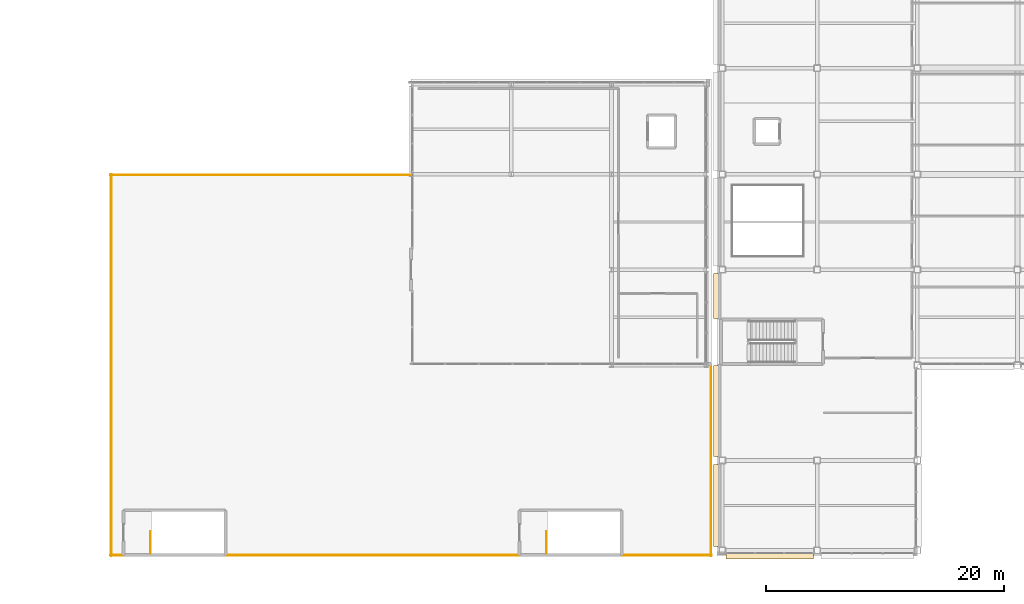
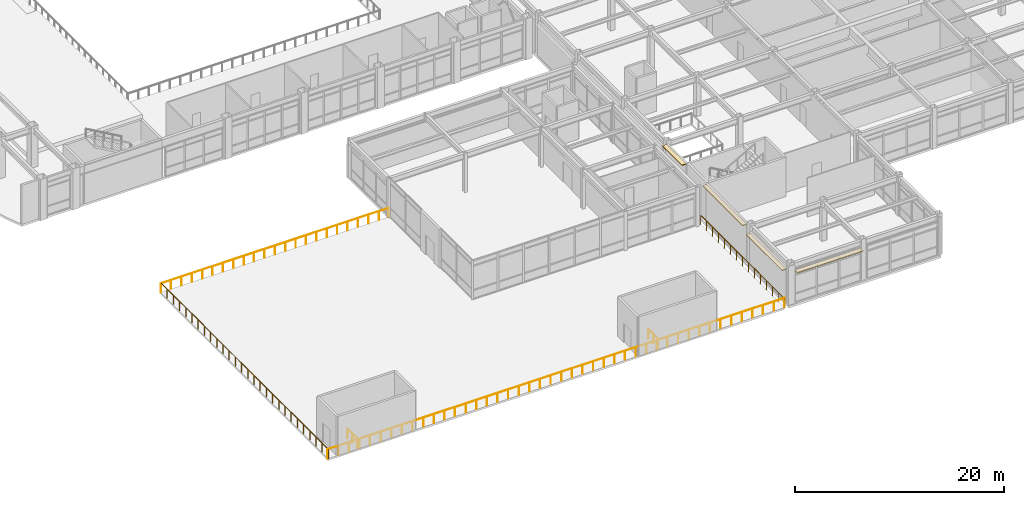
# One storey, part 140 of 154: 6 railings, 4 coverings.
"""IFC4 building model written with IfcOpenShell, lengths in metres."""

import ifcopenshell
import ifcopenshell.guid

model = None  # the IFC model being written
_history = None  # IfcOwnerHistory: only IFC2X3 demands one
_inside = {}  # id of a spatial element -> (the spatial element, [elements in it])
_under = {}  # id of a project, library or spatial element -> (it, [spatial elements below it])
_declared = {}  # id of a project -> (the project, [libraries it declares])
_typed = {}  # id of a type object -> (the type object, [elements of that type])
_made_of = {}  # id of a material, layer set ... -> (it, [elements and type objects made of it])


def new_model(schema):
    """Start an empty IFC model of exactly this schema.

    Asked for "IFC4X3", IfcOpenShell would pick the latest addendum, in which some entities
    have other attributes; the version numbers below select the first issue.
    IFC2X3 requires an IfcOwnerHistory on every rooted entity: one is made here for all.
    """
    global model, _history
    if schema == "IFC4X3":
        model = ifcopenshell.file(schema_version=(4, 3, 0, 0))
    else:
        model = ifcopenshell.file(schema=schema)
    _inside.clear()
    _under.clear()
    _declared.clear()
    _typed.clear()
    _made_of.clear()
    _history = None
    if model.schema == "IFC2X3":
        org = make("IfcOrganization", Name="unknown")
        user = make(
            "IfcPersonAndOrganization",
            ThePerson=make("IfcPerson", FamilyName="unknown"),
            TheOrganization=org,
        )
        app = make(
            "IfcApplication",
            ApplicationDeveloper=org,
            Version="unknown",
            ApplicationFullName="unknown",
            ApplicationIdentifier="unknown",
        )
        _history = make(
            "IfcOwnerHistory",
            OwningUser=user,
            OwningApplication=app,
            ChangeAction="ADDED",
            CreationDate=0,
        )
    return model


def make(cls, **values):
    """One entity of the class cls with the attributes given. An attribute that is None is left unset."""
    return model.create_entity(
        cls, **{name: value for name, value in values.items() if value is not None}
    )


def rooted(cls, **values):
    """An entity with a GlobalId (a new one), such as an element, a storey or a relation."""
    return make(cls, GlobalId=ifcopenshell.guid.new(), OwnerHistory=_history, **values)


def si_unit(unit_type, name, prefix=None):
    """IfcSIUnit, for example si_unit("LENGTHUNIT", "METRE", prefix="MILLI")."""
    return make("IfcSIUnit", UnitType=unit_type, Prefix=prefix, Name=name)


def assignment(units):
    """IfcUnitAssignment: the units of a project."""
    return None if units is None else make("IfcUnitAssignment", Units=units)


def point(xyz):
    """IfcCartesianPoint."""
    return None if xyz is None else make("IfcCartesianPoint", Coordinates=xyz)


def direction(xyz):
    """IfcDirection."""
    return None if xyz is None else make("IfcDirection", DirectionRatios=xyz)


def frame(location, z_axis=None, x_axis=None):
    """IfcAxis2Placement3D, a coordinate frame: its origin and axes. An axis left out is left unset."""
    return make(
        "IfcAxis2Placement3D",
        Location=point(location),
        Axis=direction(z_axis),
        RefDirection=direction(x_axis),
    )


def frame_2d(location, x_axis=None):
    """IfcAxis2Placement2D, a coordinate frame in the plane: its origin and x axis."""
    return make(
        "IfcAxis2Placement2D", Location=point(location), RefDirection=direction(x_axis)
    )


def origin():
    """The frame at (0, 0, 0) with its axes left unset."""
    return frame((0.0, 0.0, 0.0))


def origin_2d():
    """The frame at (0, 0) in the plane with its x axis left unset."""
    return frame_2d((0.0, 0.0))


def place(relative_to, where):
    """IfcLocalPlacement: puts the frame where relative to a parent placement (None: the world)."""
    return make(
        "IfcLocalPlacement", PlacementRelTo=relative_to, RelativePlacement=where
    )


def context(
    kind, dimensions, precision=None, world=None, true_north=None, identifier=None
):
    """IfcGeometricRepresentationContext, for example the 3D "Model" context."""
    return make(
        "IfcGeometricRepresentationContext",
        ContextIdentifier=identifier,
        ContextType=kind,
        CoordinateSpaceDimension=dimensions,
        Precision=precision,
        WorldCoordinateSystem=world,
        TrueNorth=true_north,
    )


def subcontext(parent, identifier, kind, view, scale=None):
    """IfcGeometricRepresentationSubContext, for example "Body" below "Model"."""
    return make(
        "IfcGeometricRepresentationSubContext",
        ContextIdentifier=identifier,
        ContextType=kind,
        ParentContext=parent,
        TargetScale=scale,
        TargetView=view,
    )


def project(units=None, contexts=None):
    """IfcProject with its units and contexts."""
    return rooted(
        "IfcProject",
        Name="project",
        RepresentationContexts=contexts,
        UnitsInContext=assignment(units),
    )


def spatial(cls, under=None, at=None, **own):
    """A site, building, storey or space (cls), placed at a placement, below another one or the project."""
    s = rooted(cls, ObjectPlacement=at, **own)
    if under is not None:
        _under.setdefault(under.id(), (under, []))[1].append(s)
    return s


def profile(cls, at=None, kind="AREA", **sizes):
    """A parametric profile (cls). Its sizes go by their IFC names, for example OverallWidth=200.0."""
    return make(cls, ProfileType=kind, Position=at, **sizes)


def rectangle(**sizes):
    """IfcRectangleProfileDef."""
    return profile("IfcRectangleProfileDef", **sizes)


def circle(**sizes):
    """IfcCircleProfileDef."""
    return profile("IfcCircleProfileDef", **sizes)


def extrude(swept, where, along, depth):
    """IfcExtrudedAreaSolid: the profile swept, set in the frame where, extruded along a direction by depth."""
    return make(
        "IfcExtrudedAreaSolid",
        SweptArea=swept,
        Position=where,
        ExtrudedDirection=direction(along),
        Depth=depth,
    )


def shape(context_of_items, identifier, shape_type, items):
    """IfcShapeRepresentation: the items that make up one representation, for example the "Body"."""
    return make(
        "IfcShapeRepresentation",
        ContextOfItems=context_of_items,
        RepresentationIdentifier=identifier,
        RepresentationType=shape_type,
        Items=items,
    )


def material(Name=None, Category=None):
    """IfcMaterial."""
    return make("IfcMaterial", Name=Name, Category=Category)


def layer(
    of_material, thickness, ventilated=None, Name=None, Category=None, Priority=None
):
    """IfcMaterialLayer: one layer of a wall or slab, of a material (None: an air gap)."""
    return make(
        "IfcMaterialLayer",
        Material=of_material,
        LayerThickness=thickness,
        IsVentilated=ventilated,
        Name=Name,
        Category=Category,
        Priority=Priority,
    )


def layer_set(layers, Name=None):
    """IfcMaterialLayerSet."""
    return make("IfcMaterialLayerSet", MaterialLayers=layers, LayerSetName=Name)


def made_of(thing, what):
    """Note that an element or type object is made of a material, layer set ...; save() writes the relation."""
    if what is not None:
        _made_of.setdefault(what.id(), (what, []))[1].append(thing)
    return thing


def type_object(cls, material=None, **own):
    """A type object (cls), such as IfcWallType, which elements share."""
    return made_of(rooted(cls, **own), material)


def element(
    cls,
    number,
    at=None,
    inside=None,
    cuts=None,
    type_object=None,
    material=None,
    context=None,
    identifier="Body",
    shape_type=None,
    held_by="IfcProductDefinitionShape",
    body=None,
    shapes=None,
    **own,
):
    """One element of the class cls, such as IfcWall. Its Tag is "e" and its number.

    at: its placement. inside: the storey or other place that contains it. cuts: it is an
    opening in that element (IfcRelVoidsElement). A single representation is given by context,
    identifier, shape_type and body (its items); several are given by shapes. held_by: the class
    of the entity that holds the representations. save() writes the other relations.
    """
    e = rooted(cls, Tag="e%d" % number, ObjectPlacement=at, **own)
    if body is not None:
        shapes = [shape(context, identifier, shape_type, body)]
    if shapes is not None:
        e.Representation = make(held_by, Representations=shapes)
    if inside is not None:
        _inside.setdefault(inside.id(), (inside, []))[1].append(e)
    if cuts is not None:
        rooted(
            "IfcRelVoidsElement", RelatingBuildingElement=cuts, RelatedOpeningElement=e
        )
    if type_object is not None:
        _typed.setdefault(type_object.id(), (type_object, []))[1].append(e)
    return made_of(e, material)


def aggregate(whole, parts):
    """IfcRelAggregates: a whole, such as a stair, and the parts it consists of."""
    return rooted("IfcRelAggregates", RelatingObject=whole, RelatedObjects=parts)


def save(model, path):
    """Write the relations noted so far, then the file.

    IfcRelAggregates (storeys below a building ...), IfcRelContainedInSpatialStructure (elements
    in a storey), IfcRelDefinesByType, IfcRelAssociatesMaterial and IfcRelDeclares: one each for
    every whole, place, type object, material and project.
    """
    for whole, parts in _under.values():
        aggregate(whole, parts)
    for where, things in _inside.values():
        rooted(
            "IfcRelContainedInSpatialStructure",
            RelatedElements=things,
            RelatingStructure=where,
        )
    for kind, things in _typed.values():
        rooted("IfcRelDefinesByType", RelatedObjects=things, RelatingType=kind)
    for what, things in _made_of.values():
        rooted("IfcRelAssociatesMaterial", RelatedObjects=things, RelatingMaterial=what)
    for by, libraries in _declared.values():
        rooted("IfcRelDeclares", RelatingContext=by, RelatedDefinitions=libraries)
    model.write(path)


model = new_model("IFC4")

# Units and contexts
model_context = context("Model", 3, precision=1e-05, world=origin(), true_north=direction((0.0, 1.0)))
body_context = subcontext(model_context, "Body", "Model", "MODEL_VIEW")
ifc_project = project(units=[si_unit("LENGTHUNIT", "METRE"), si_unit("AREAUNIT", "SQUARE_METRE"), si_unit("VOLUMEUNIT", "CUBIC_METRE"), si_unit("PLANEANGLEUNIT", "RADIAN"), si_unit("MASSUNIT", "GRAM", prefix="KILO")], contexts=[model_context])

# Site, building, storey
site_placement = place(None, origin())
site = spatial("IfcSite", under=ifc_project, at=site_placement, CompositionType="ELEMENT")
building_placement = place(site_placement, origin())
building = spatial("IfcBuilding", under=site, at=building_placement, Name="Kazehara Bluff Congress Hotel", CompositionType="ELEMENT")
storey_placement = place(building_placement, frame((0.0, 0.0, 10.199951171875)))
storey = spatial("IfcBuildingStorey", under=building, at=storey_placement, Name="L02", CompositionType="ELEMENT", Elevation=10.199951171875)

# Coverings
ifc_material_1 = material(Name="Anodised aluminium architectural brise-soleil", Category="aluminium")
ifc_layer = layer(ifc_material_1, 0.10009765625)
ifc_layer_set = layer_set([ifc_layer], Name="Anodised aluminium architectural brise-soleil")
covering_type = type_object("IfcCoveringType", Name="TP-FAC-FIN", PredefinedType="CLADDING", material=ifc_layer_set)
covering_1_placement = place(storey_placement, frame((63.675048828125, -0.02001953125, 3.715087890625), z_axis=(0.0, 0.0, 1.0), x_axis=(1.0, 0.0, 0.0)))
element("IfcCovering", 1, at=covering_1_placement, inside=storey, type_object=covering_type, Name="L02 V4 architectural sun-hood 83", PredefinedType="CLADDING", context=body_context, shape_type="SweptSolid", body=[
    extrude(rectangle(XDim=7.300048828125, YDim=0.52001953125, at=origin_2d()), origin(), (0.0, 0.0, 1.0), 0.10009765625),
])
covering_2_placement = place(storey_placement, frame((59.22998046875, 4.22509765625, 3.715087890625), z_axis=(0.0, 0.0, 1.0), x_axis=(1.0, 0.0, 0.0)))
element("IfcCovering", 2, at=covering_2_placement, inside=storey, type_object=covering_type, Name="L02 V4 architectural sun-hood 97", PredefinedType="CLADDING", context=body_context, shape_type="SweptSolid", body=[
    extrude(rectangle(XDim=0.52001953125, YDim=6.89990234375, at=origin_2d()), origin(), (0.0, 0.0, 1.0), 0.10009765625),
])
covering_3_placement = place(storey_placement, frame((59.22998046875, 12.155029296875, 4.375), z_axis=(0.0, 0.0, 1.0), x_axis=(1.0, 0.0, 0.0)))
element("IfcCovering", 3, at=covering_3_placement, inside=storey, type_object=covering_type, Name="L02 V4 architectural sun-hood 98", PredefinedType="CLADDING", context=body_context, shape_type="SweptSolid", body=[
    extrude(rectangle(XDim=0.52001953125, YDim=7.659912109375, at=origin_2d()), origin(), (0.0, 0.0, 1.0), 0.10009765625),
])
covering_4_placement = place(storey_placement, frame((59.22998046875, 21.794921875, 4.375), z_axis=(0.0, 0.0, 1.0), x_axis=(1.0, 0.0, 0.0)))
element("IfcCovering", 4, at=covering_4_placement, inside=storey, type_object=covering_type, Name="L02 V4 architectural sun-hood 99", PredefinedType="CLADDING", context=body_context, shape_type="SweptSolid", body=[
    extrude(rectangle(XDim=0.52001953125, YDim=3.760009765625, at=origin_2d()), origin(), (0.0, 0.0, 1.0), 0.10009765625),
])

# Railings
ifc_material_2 = material(Name="Painted galvanised steel", Category="steel")
railing_type_1 = type_object("IfcRailingType", Name="TP-GRD-EXT", PredefinedType="BALUSTRADE", material=ifc_material_2)
railing_1_placement = place(storey_placement, frame((8.39990234375, 0.050048828125, 0.0)))
element("IfcRailing", 5, at=railing_1_placement, inside=storey, type_object=railing_type_1, Name="Ballroom Planted Roof Garden edge guard 1", PredefinedType="BALUSTRADE", context=body_context, shape_type="SweptSolid", body=[
    extrude(circle(Radius=0.02392578125, at=origin_2d()), frame((0.0, 0.0, 1.076171875), z_axis=(1.0, 0.0, 0.0), x_axis=(0.0, 1.0, 0.0)), (0.0, 0.0, 1.0), 50.400146484375),
    extrude(circle(Radius=0.02099609375, at=origin_2d()), origin(), (0.0, 0.0, 1.0), 1.052001953125),
    extrude(circle(Radius=0.02099609375, at=origin_2d()), frame((1.172119140625, 0.0, 0.0)), (0.0, 0.0, 1.0), 1.052001953125),
    extrude(circle(Radius=0.02099609375, at=origin_2d()), frame((2.34423828125, 0.0, 0.0)), (0.0, 0.0, 1.0), 1.052001953125),
    extrude(circle(Radius=0.02099609375, at=origin_2d()), frame((3.516357421875, 0.0, 0.0)), (0.0, 0.0, 1.0), 1.052001953125),
    extrude(circle(Radius=0.02099609375, at=origin_2d()), frame((4.6884765625, 0.0, 0.0)), (0.0, 0.0, 1.0), 1.052001953125),
    extrude(circle(Radius=0.02099609375, at=origin_2d()), frame((5.860595703125, 0.0, 0.0)), (0.0, 0.0, 1.0), 1.052001953125),
    extrude(circle(Radius=0.02099609375, at=origin_2d()), frame((7.032470703125, 0.0, 0.0)), (0.0, 0.0, 1.0), 1.052001953125),
    extrude(circle(Radius=0.02099609375, at=origin_2d()), frame((8.20458984375, 0.0, 0.0)), (0.0, 0.0, 1.0), 1.052001953125),
    extrude(circle(Radius=0.02099609375, at=origin_2d()), frame((9.376708984375, 0.0, 0.0)), (0.0, 0.0, 1.0), 1.052001953125),
    extrude(circle(Radius=0.02099609375, at=origin_2d()), frame((10.548828125, 0.0, 0.0)), (0.0, 0.0, 1.0), 1.052001953125),
    extrude(circle(Radius=0.02099609375, at=origin_2d()), frame((11.720947265625, 0.0, 0.0)), (0.0, 0.0, 1.0), 1.052001953125),
    extrude(circle(Radius=0.02099609375, at=origin_2d()), frame((12.89306640625, 0.0, 0.0)), (0.0, 0.0, 1.0), 1.052001953125),
    extrude(circle(Radius=0.02099609375, at=origin_2d()), frame((14.065185546875, 0.0, 0.0)), (0.0, 0.0, 1.0), 1.052001953125),
    extrude(circle(Radius=0.02099609375, at=origin_2d()), frame((15.2373046875, 0.0, 0.0)), (0.0, 0.0, 1.0), 1.052001953125),
    extrude(circle(Radius=0.02099609375, at=origin_2d()), frame((16.409423828125, 0.0, 0.0)), (0.0, 0.0, 1.0), 1.052001953125),
    extrude(circle(Radius=0.02099609375, at=origin_2d()), frame((17.58154296875, 0.0, 0.0)), (0.0, 0.0, 1.0), 1.052001953125),
    extrude(circle(Radius=0.02099609375, at=origin_2d()), frame((18.753662109375, 0.0, 0.0)), (0.0, 0.0, 1.0), 1.052001953125),
    extrude(circle(Radius=0.02099609375, at=origin_2d()), frame((19.925537109375, 0.0, 0.0)), (0.0, 0.0, 1.0), 1.052001953125),
    extrude(circle(Radius=0.02099609375, at=origin_2d()), frame((21.09765625, 0.0, 0.0)), (0.0, 0.0, 1.0), 1.052001953125),
    extrude(circle(Radius=0.02099609375, at=origin_2d()), frame((22.269775390625, 0.0, 0.0)), (0.0, 0.0, 1.0), 1.052001953125),
    extrude(circle(Radius=0.02099609375, at=origin_2d()), frame((23.44189453125, 0.0, 0.0)), (0.0, 0.0, 1.0), 1.052001953125),
    extrude(circle(Radius=0.02099609375, at=origin_2d()), frame((24.614013671875, 0.0, 0.0)), (0.0, 0.0, 1.0), 1.052001953125),
    extrude(circle(Radius=0.02099609375, at=origin_2d()), frame((25.7861328125, 0.0, 0.0)), (0.0, 0.0, 1.0), 1.052001953125),
    extrude(circle(Radius=0.02099609375, at=origin_2d()), frame((26.958251953125, 0.0, 0.0)), (0.0, 0.0, 1.0), 1.052001953125),
    extrude(circle(Radius=0.02099609375, at=origin_2d()), frame((28.13037109375, 0.0, 0.0)), (0.0, 0.0, 1.0), 1.052001953125),
    extrude(circle(Radius=0.02099609375, at=origin_2d()), frame((29.302490234375, 0.0, 0.0)), (0.0, 0.0, 1.0), 1.052001953125),
    extrude(circle(Radius=0.02099609375, at=origin_2d()), frame((30.474609375, 0.0, 0.0)), (0.0, 0.0, 1.0), 1.052001953125),
    extrude(circle(Radius=0.02099609375, at=origin_2d()), frame((31.646484375, 0.0, 0.0)), (0.0, 0.0, 1.0), 1.052001953125),
    extrude(circle(Radius=0.02099609375, at=origin_2d()), frame((32.818603515625, 0.0, 0.0)), (0.0, 0.0, 1.0), 1.052001953125),
    extrude(circle(Radius=0.02099609375, at=origin_2d()), frame((33.99072265625, 0.0, 0.0)), (0.0, 0.0, 1.0), 1.052001953125),
    extrude(circle(Radius=0.02099609375, at=origin_2d()), frame((35.162841796875, 0.0, 0.0)), (0.0, 0.0, 1.0), 1.052001953125),
    extrude(circle(Radius=0.02099609375, at=origin_2d()), frame((36.3349609375, 0.0, 0.0)), (0.0, 0.0, 1.0), 1.052001953125),
    extrude(circle(Radius=0.02099609375, at=origin_2d()), frame((37.507080078125, 0.0, 0.0)), (0.0, 0.0, 1.0), 1.052001953125),
    extrude(circle(Radius=0.02099609375, at=origin_2d()), frame((38.67919921875, 0.0, 0.0)), (0.0, 0.0, 1.0), 1.052001953125),
    extrude(circle(Radius=0.02099609375, at=origin_2d()), frame((39.851318359375, 0.0, 0.0)), (0.0, 0.0, 1.0), 1.052001953125),
    extrude(circle(Radius=0.02099609375, at=origin_2d()), frame((41.0234375, 0.0, 0.0)), (0.0, 0.0, 1.0), 1.052001953125),
    extrude(circle(Radius=0.02099609375, at=origin_2d()), frame((42.195556640625, 0.0, 0.0)), (0.0, 0.0, 1.0), 1.052001953125),
    extrude(circle(Radius=0.02099609375, at=origin_2d()), frame((43.36767578125, 0.0, 0.0)), (0.0, 0.0, 1.0), 1.052001953125),
    extrude(circle(Radius=0.02099609375, at=origin_2d()), frame((44.53955078125, 0.0, 0.0)), (0.0, 0.0, 1.0), 1.052001953125),
    extrude(circle(Radius=0.02099609375, at=origin_2d()), frame((45.711669921875, 0.0, 0.0)), (0.0, 0.0, 1.0), 1.052001953125),
    extrude(circle(Radius=0.02099609375, at=origin_2d()), frame((46.8837890625, 0.0, 0.0)), (0.0, 0.0, 1.0), 1.052001953125),
    extrude(circle(Radius=0.02099609375, at=origin_2d()), frame((48.055908203125, 0.0, 0.0)), (0.0, 0.0, 1.0), 1.052001953125),
    extrude(circle(Radius=0.02099609375, at=origin_2d()), frame((49.22802734375, 0.0, 0.0)), (0.0, 0.0, 1.0), 1.052001953125),
    extrude(circle(Radius=0.02099609375, at=origin_2d()), frame((50.400146484375, 0.0, 0.0)), (0.0, 0.0, 1.0), 1.052001953125),
])
railing_2_placement = place(storey_placement, frame((58.75, 0.0, 0.0)))
element("IfcRailing", 6, at=railing_2_placement, inside=storey, type_object=railing_type_1, Name="Ballroom Planted Roof Garden edge guard 2", PredefinedType="BALUSTRADE", context=body_context, shape_type="SweptSolid", body=[
    extrude(circle(Radius=0.02392578125, at=origin_2d()), frame((0.0, 0.0, 1.076171875), z_axis=(0.0, 1.0, 0.0), x_axis=(-1.0, 0.0, 0.0)), (0.0, 0.0, 1.0), 16.0),
    extrude(circle(Radius=0.02099609375, at=origin_2d()), origin(), (0.0, 0.0, 1.0), 1.052001953125),
    extrude(circle(Radius=0.02099609375, at=origin_2d()), frame((0.0, 1.142822265625, 0.0)), (0.0, 0.0, 1.0), 1.052001953125),
    extrude(circle(Radius=0.02099609375, at=origin_2d()), frame((0.0, 2.28564453125, 0.0)), (0.0, 0.0, 1.0), 1.052001953125),
    extrude(circle(Radius=0.02099609375, at=origin_2d()), frame((0.0, 3.428466796875, 0.0)), (0.0, 0.0, 1.0), 1.052001953125),
    extrude(circle(Radius=0.02099609375, at=origin_2d()), frame((0.0, 4.571533203125, 0.0)), (0.0, 0.0, 1.0), 1.052001953125),
    extrude(circle(Radius=0.02099609375, at=origin_2d()), frame((0.0, 5.71435546875, 0.0)), (0.0, 0.0, 1.0), 1.052001953125),
    extrude(circle(Radius=0.02099609375, at=origin_2d()), frame((0.0, 6.857177734375, 0.0)), (0.0, 0.0, 1.0), 1.052001953125),
    extrude(circle(Radius=0.02099609375, at=origin_2d()), frame((0.0, 8.0, 0.0)), (0.0, 0.0, 1.0), 1.052001953125),
    extrude(circle(Radius=0.02099609375, at=origin_2d()), frame((0.0, 9.142822265625, 0.0)), (0.0, 0.0, 1.0), 1.052001953125),
    extrude(circle(Radius=0.02099609375, at=origin_2d()), frame((0.0, 10.28564453125, 0.0)), (0.0, 0.0, 1.0), 1.052001953125),
    extrude(circle(Radius=0.02099609375, at=origin_2d()), frame((0.0, 11.428466796875, 0.0)), (0.0, 0.0, 1.0), 1.052001953125),
    extrude(circle(Radius=0.02099609375, at=origin_2d()), frame((0.0, 12.571533203125, 0.0)), (0.0, 0.0, 1.0), 1.052001953125),
    extrude(circle(Radius=0.02099609375, at=origin_2d()), frame((0.0, 13.71435546875, 0.0)), (0.0, 0.0, 1.0), 1.052001953125),
    extrude(circle(Radius=0.02099609375, at=origin_2d()), frame((0.0, 14.857177734375, 0.0)), (0.0, 0.0, 1.0), 1.052001953125),
    extrude(circle(Radius=0.02099609375, at=origin_2d()), frame((0.0, 16.0, 0.0)), (0.0, 0.0, 1.0), 1.052001953125),
])
railing_3_placement = place(storey_placement, frame((33.60009765625, 31.949951171875, 0.0)))
element("IfcRailing", 7, at=railing_3_placement, inside=storey, type_object=railing_type_1, Name="Ballroom Planted Roof Garden edge guard 3", PredefinedType="BALUSTRADE", context=body_context, shape_type="SweptSolid", body=[
    extrude(circle(Radius=0.02392578125, at=origin_2d()), frame((0.0, 0.0, 1.076171875), z_axis=(-1.0, 0.0, 0.0), x_axis=(0.0, -1.0, 0.0)), (0.0, 0.0, 1.0), 25.2001953125),
    extrude(circle(Radius=0.02099609375, at=origin_2d()), origin(), (0.0, 0.0, 1.0), 1.052001953125),
    extrude(circle(Radius=0.02099609375, at=origin_2d()), frame((-1.1455078125, 0.0, 0.0)), (0.0, 0.0, 1.0), 1.052001953125),
    extrude(circle(Radius=0.02099609375, at=origin_2d()), frame((-2.291015625, 0.0, 0.0)), (0.0, 0.0, 1.0), 1.052001953125),
    extrude(circle(Radius=0.02099609375, at=origin_2d()), frame((-3.436279296875, 0.0, 0.0)), (0.0, 0.0, 1.0), 1.052001953125),
    extrude(circle(Radius=0.02099609375, at=origin_2d()), frame((-4.581787109375, 0.0, 0.0)), (0.0, 0.0, 1.0), 1.052001953125),
    extrude(circle(Radius=0.02099609375, at=origin_2d()), frame((-5.727294921875, 0.0, 0.0)), (0.0, 0.0, 1.0), 1.052001953125),
    extrude(circle(Radius=0.02099609375, at=origin_2d()), frame((-6.872802734375, 0.0, 0.0)), (0.0, 0.0, 1.0), 1.052001953125),
    extrude(circle(Radius=0.02099609375, at=origin_2d()), frame((-8.018310546875, 0.0, 0.0)), (0.0, 0.0, 1.0), 1.052001953125),
    extrude(circle(Radius=0.02099609375, at=origin_2d()), frame((-9.163818359375, 0.0, 0.0)), (0.0, 0.0, 1.0), 1.052001953125),
    extrude(circle(Radius=0.02099609375, at=origin_2d()), frame((-10.30908203125, 0.0, 0.0)), (0.0, 0.0, 1.0), 1.052001953125),
    extrude(circle(Radius=0.02099609375, at=origin_2d()), frame((-11.45458984375, 0.0, 0.0)), (0.0, 0.0, 1.0), 1.052001953125),
    extrude(circle(Radius=0.02099609375, at=origin_2d()), frame((-12.60009765625, 0.0, 0.0)), (0.0, 0.0, 1.0), 1.052001953125),
    extrude(circle(Radius=0.02099609375, at=origin_2d()), frame((-13.74560546875, 0.0, 0.0)), (0.0, 0.0, 1.0), 1.052001953125),
    extrude(circle(Radius=0.02099609375, at=origin_2d()), frame((-14.89111328125, 0.0, 0.0)), (0.0, 0.0, 1.0), 1.052001953125),
    extrude(circle(Radius=0.02099609375, at=origin_2d()), frame((-16.036376953125, 0.0, 0.0)), (0.0, 0.0, 1.0), 1.052001953125),
    extrude(circle(Radius=0.02099609375, at=origin_2d()), frame((-17.181884765625, 0.0, 0.0)), (0.0, 0.0, 1.0), 1.052001953125),
    extrude(circle(Radius=0.02099609375, at=origin_2d()), frame((-18.327392578125, 0.0, 0.0)), (0.0, 0.0, 1.0), 1.052001953125),
    extrude(circle(Radius=0.02099609375, at=origin_2d()), frame((-19.472900390625, 0.0, 0.0)), (0.0, 0.0, 1.0), 1.052001953125),
    extrude(circle(Radius=0.02099609375, at=origin_2d()), frame((-20.618408203125, 0.0, 0.0)), (0.0, 0.0, 1.0), 1.052001953125),
    extrude(circle(Radius=0.02099609375, at=origin_2d()), frame((-21.763916015625, 0.0, 0.0)), (0.0, 0.0, 1.0), 1.052001953125),
    extrude(circle(Radius=0.02099609375, at=origin_2d()), frame((-22.9091796875, 0.0, 0.0)), (0.0, 0.0, 1.0), 1.052001953125),
    extrude(circle(Radius=0.02099609375, at=origin_2d()), frame((-24.0546875, 0.0, 0.0)), (0.0, 0.0, 1.0), 1.052001953125),
    extrude(circle(Radius=0.02099609375, at=origin_2d()), frame((-25.2001953125, 0.0, 0.0)), (0.0, 0.0, 1.0), 1.052001953125),
])
railing_4_placement = place(storey_placement, frame((8.449951171875, 32.0, 0.0)))
element("IfcRailing", 8, at=railing_4_placement, inside=storey, type_object=railing_type_1, Name="Ballroom Planted Roof Garden edge guard 4", PredefinedType="BALUSTRADE", context=body_context, shape_type="SweptSolid", body=[
    extrude(circle(Radius=0.02392578125, at=origin_2d()), frame((0.0, 0.0, 1.076171875), z_axis=(0.0, -1.0, 0.0), x_axis=(1.0, 0.0, 0.0)), (0.0, 0.0, 1.0), 32.0),
    extrude(circle(Radius=0.02099609375, at=origin_2d()), origin(), (0.0, 0.0, 1.0), 1.052001953125),
    extrude(circle(Radius=0.02099609375, at=origin_2d()), frame((0.0, -1.185302734375, 0.0)), (0.0, 0.0, 1.0), 1.052001953125),
    extrude(circle(Radius=0.02099609375, at=origin_2d()), frame((0.0, -2.370361328125, 0.0)), (0.0, 0.0, 1.0), 1.052001953125),
    extrude(circle(Radius=0.02099609375, at=origin_2d()), frame((0.0, -3.5556640625, 0.0)), (0.0, 0.0, 1.0), 1.052001953125),
    extrude(circle(Radius=0.02099609375, at=origin_2d()), frame((0.0, -4.74072265625, 0.0)), (0.0, 0.0, 1.0), 1.052001953125),
    extrude(circle(Radius=0.02099609375, at=origin_2d()), frame((0.0, -5.926025390625, 0.0)), (0.0, 0.0, 1.0), 1.052001953125),
    extrude(circle(Radius=0.02099609375, at=origin_2d()), frame((0.0, -7.111083984375, 0.0)), (0.0, 0.0, 1.0), 1.052001953125),
    extrude(circle(Radius=0.02099609375, at=origin_2d()), frame((0.0, -8.29638671875, 0.0)), (0.0, 0.0, 1.0), 1.052001953125),
    extrude(circle(Radius=0.02099609375, at=origin_2d()), frame((0.0, -9.4814453125, 0.0)), (0.0, 0.0, 1.0), 1.052001953125),
    extrude(circle(Radius=0.02099609375, at=origin_2d()), frame((0.0, -10.666748046875, 0.0)), (0.0, 0.0, 1.0), 1.052001953125),
    extrude(circle(Radius=0.02099609375, at=origin_2d()), frame((0.0, -11.851806640625, 0.0)), (0.0, 0.0, 1.0), 1.052001953125),
    extrude(circle(Radius=0.02099609375, at=origin_2d()), frame((0.0, -13.037109375, 0.0)), (0.0, 0.0, 1.0), 1.052001953125),
    extrude(circle(Radius=0.02099609375, at=origin_2d()), frame((0.0, -14.22216796875, 0.0)), (0.0, 0.0, 1.0), 1.052001953125),
    extrude(circle(Radius=0.02099609375, at=origin_2d()), frame((0.0, -15.407470703125, 0.0)), (0.0, 0.0, 1.0), 1.052001953125),
    extrude(circle(Radius=0.02099609375, at=origin_2d()), frame((0.0, -16.592529296875, 0.0)), (0.0, 0.0, 1.0), 1.052001953125),
    extrude(circle(Radius=0.02099609375, at=origin_2d()), frame((0.0, -17.77783203125, 0.0)), (0.0, 0.0, 1.0), 1.052001953125),
    extrude(circle(Radius=0.02099609375, at=origin_2d()), frame((0.0, -18.962890625, 0.0)), (0.0, 0.0, 1.0), 1.052001953125),
    extrude(circle(Radius=0.02099609375, at=origin_2d()), frame((0.0, -20.148193359375, 0.0)), (0.0, 0.0, 1.0), 1.052001953125),
    extrude(circle(Radius=0.02099609375, at=origin_2d()), frame((0.0, -21.333251953125, 0.0)), (0.0, 0.0, 1.0), 1.052001953125),
    extrude(circle(Radius=0.02099609375, at=origin_2d()), frame((0.0, -22.5185546875, 0.0)), (0.0, 0.0, 1.0), 1.052001953125),
    extrude(circle(Radius=0.02099609375, at=origin_2d()), frame((0.0, -23.70361328125, 0.0)), (0.0, 0.0, 1.0), 1.052001953125),
    extrude(circle(Radius=0.02099609375, at=origin_2d()), frame((0.0, -24.888916015625, 0.0)), (0.0, 0.0, 1.0), 1.052001953125),
    extrude(circle(Radius=0.02099609375, at=origin_2d()), frame((0.0, -26.073974609375, 0.0)), (0.0, 0.0, 1.0), 1.052001953125),
    extrude(circle(Radius=0.02099609375, at=origin_2d()), frame((0.0, -27.25927734375, 0.0)), (0.0, 0.0, 1.0), 1.052001953125),
    extrude(circle(Radius=0.02099609375, at=origin_2d()), frame((0.0, -28.4443359375, 0.0)), (0.0, 0.0, 1.0), 1.052001953125),
    extrude(circle(Radius=0.02099609375, at=origin_2d()), frame((0.0, -29.629638671875, 0.0)), (0.0, 0.0, 1.0), 1.052001953125),
    extrude(circle(Radius=0.02099609375, at=origin_2d()), frame((0.0, -30.814697265625, 0.0)), (0.0, 0.0, 1.0), 1.052001953125),
    extrude(circle(Radius=0.02099609375, at=origin_2d()), frame((0.0, -32.0, 0.0)), (0.0, 0.0, 1.0), 1.052001953125),
])
ifc_material_3 = material(Name="Brushed stainless steel", Category="steel")
railing_type_2 = type_object("IfcRailingType", Name="TP-GRD-INT", PredefinedType="GUARDRAIL", material=ifc_material_3)
for number, where, name in (
    (9, (11.75, 0.199951171875, 0.0), "L02 ST-04 top well guard 1"),
    (10, (44.949951171875, 0.199951171875, 0.0), "L02 ST-05 top well guard 1"),
):
    element("IfcRailing", number, at=place(storey_placement, frame(where)), inside=storey, type_object=railing_type_2, Name=name, PredefinedType="GUARDRAIL", context=body_context, shape_type="SweptSolid", body=[
        extrude(circle(Radius=0.02392578125, at=origin_2d()), frame((0.0, 0.0, 1.076171875), z_axis=(0.0, 1.0, 0.0), x_axis=(-1.0, 0.0, 0.0)), (0.0, 0.0, 1.0), 1.85009765625),
        extrude(circle(Radius=0.02099609375, at=origin_2d()), origin(), (0.0, 0.0, 1.0), 1.052001953125),
        extrude(circle(Radius=0.02099609375, at=origin_2d()), frame((0.0, 0.925048828125, 0.0)), (0.0, 0.0, 1.0), 1.052001953125),
        extrude(circle(Radius=0.02099609375, at=origin_2d()), frame((0.0, 1.85009765625, 0.0)), (0.0, 0.0, 1.0), 1.052001953125),
    ])

save(model, "model.ifc")
